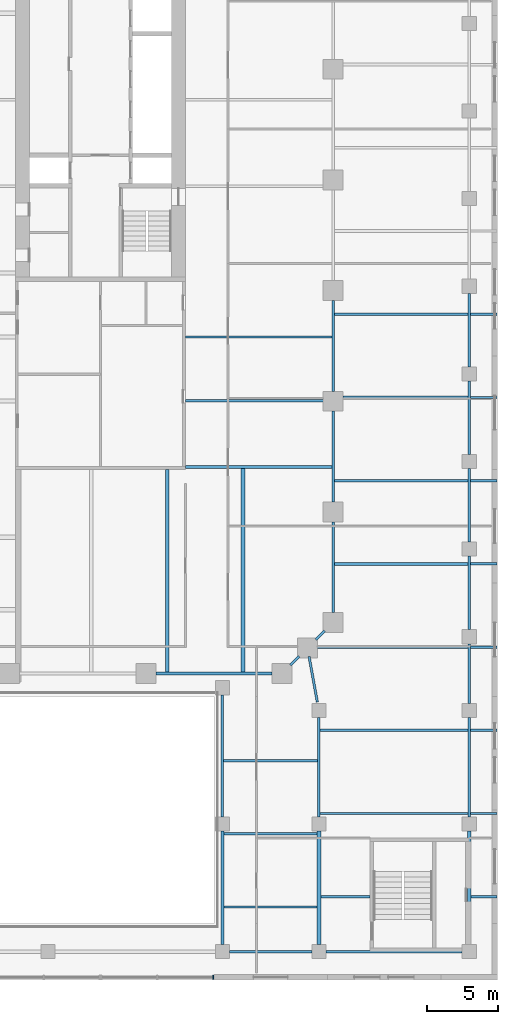
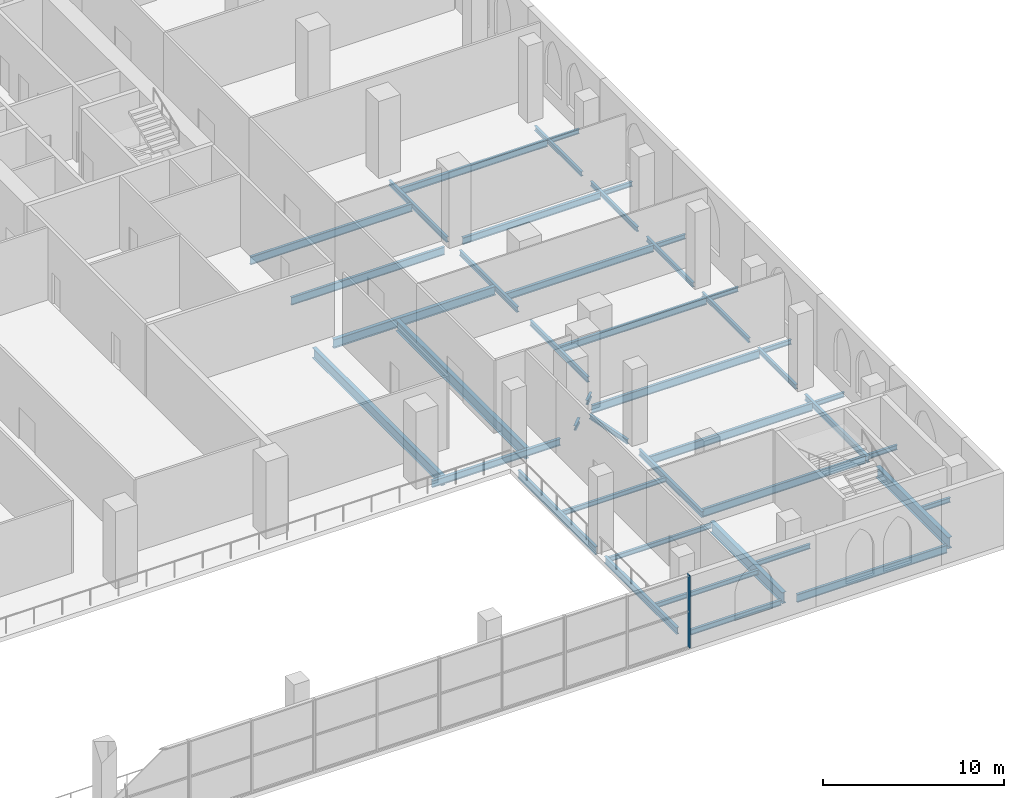
# One storey, part 5 of 22: 44 beams, 1 member, 1 element without a shape of its own.
"""IFC4 building model written with IfcOpenShell, lengths in metres."""

from ifc_helpers import new_model, si_unit, direction, frame, origin, origin_2d, place, context, subcontext, project, spatial, rectangle, i_section, extrude, material, material_profile, profile_set, type_object, element, aggregate, save


model = new_model("IFC4")

# Units and contexts
model_context = context("Model", 3, precision=1e-05, world=origin(), true_north=direction((0.0, 1.0)))
body_context = subcontext(model_context, "Body", "Model", "MODEL_VIEW")
ifc_project = project(units=[si_unit("LENGTHUNIT", "METRE"), si_unit("AREAUNIT", "SQUARE_METRE"), si_unit("VOLUMEUNIT", "CUBIC_METRE"), si_unit("PLANEANGLEUNIT", "RADIAN"), si_unit("MASSUNIT", "GRAM", prefix="KILO")], contexts=[model_context])

# Site, building, storey
site_placement = place(None, origin())
site = spatial("IfcSite", under=ifc_project, at=site_placement, CompositionType="ELEMENT")
building_placement = place(site_placement, origin())
building = spatial("IfcBuilding", under=site, at=building_placement, Name="Ogive Exchange Tower", CompositionType="ELEMENT")
storey_placement = place(building_placement, frame((0.0, 0.0, 14.0)))
storey = spatial("IfcBuildingStorey", under=building, at=storey_placement, Name="L02", CompositionType="ELEMENT", Elevation=14.0)

# Beams
ifc_material_1 = material(Name="Steel ASTM A992 Gr50", Category="steel")
ifc_material_profile_1 = material_profile(ifc_material_1, i_section(OverallWidth=0.1650390625, OverallDepth=0.31005859375, WebThickness=0.005859375, FlangeThickness=0.009765625, at=origin_2d()), Name="W310x38.7")
ifc_profile_set_1 = profile_set([ifc_material_profile_1], Name="Steel ASTM A992 Gr50")
beam_type_1 = type_object("IfcBeamType", Name="Floor beam W310x38.7", PredefinedType="JOIST", material=ifc_profile_set_1)
beam_1_placement = place(storey_placement, frame((31.533447265625, -46.13330078125, -0.455078125), z_axis=(1.0, 0.0, 0.0), x_axis=(0.0, 1.0, 0.0)))
element("IfcBeam", 1, at=beam_1_placement, inside=storey, type_object=beam_type_1, Name="Floor beam", PredefinedType="JOIST", context=body_context, shape_type="SweptSolid", body=[
    extrude(i_section(OverallWidth=0.1650390625, OverallDepth=0.31005859375, WebThickness=0.005859375, FlangeThickness=0.009765625, at=origin_2d()), origin(), (0.0, 0.0, 1.0), 3.466552734375),
])
beam_2_placement = place(storey_placement, frame((42.133544921875, -46.13330078125, -0.455078125), z_axis=(1.0, 0.0, 0.0), x_axis=(0.0, 1.0, 0.0)))
element("IfcBeam", 2, at=beam_2_placement, inside=storey, type_object=beam_type_1, Name="Floor beam", PredefinedType="JOIST", context=body_context, shape_type="SweptSolid", body=[
    extrude(i_section(OverallWidth=0.1650390625, OverallDepth=0.31005859375, WebThickness=0.005859375, FlangeThickness=0.009765625, at=origin_2d()), origin(), (0.0, 0.0, 1.0), 1.81640625),
])
for number, where, z_axis, x_axis, name in (
    (3, (42.089111328125, -40.2666015625, -0.455078125), (1.0, 0.0, 0.0), (0.0, 1.0, 0.0), "Floor beam"),
    (4, (42.089111328125, -34.39990234375, -0.455078125), (1.0, 0.0, 0.0), (0.0, 1.0, 0.0), "Floor beam"),
):
    element("IfcBeam", number, at=place(storey_placement, frame(where, z_axis=z_axis, x_axis=x_axis)), inside=storey, type_object=beam_type_1, Name=name, PredefinedType="JOIST", context=body_context, shape_type="SweptSolid", body=[
        extrude(i_section(OverallWidth=0.1650390625, OverallDepth=0.31005859375, WebThickness=0.005859375, FlangeThickness=0.009765625, at=origin_2d()), origin(), (0.0, 0.0, 1.0), 1.86083984375),
    ])
for number, where, z_axis, x_axis, name in (
    (5, (42.08251953125, -28.533203125, -0.455078125), (1.0, 0.0, 0.0), (0.0, 1.0, 0.0), "Floor beam"),
    (6, (42.08251953125, -22.666748046875, -0.455078125), (1.0, 0.0, 0.0), (0.0, 1.0, 0.0), "Floor beam"),
    (7, (42.08251953125, -16.800048828125, -0.455078125), (1.0, 0.0, 0.0), (0.0, 1.0, 0.0), "Floor beam"),
    (8, (42.08251953125, -10.933349609375, -0.455078125), (1.0, 0.0, 0.0), (0.0, 1.0, 0.0), "Floor beam"),
    (9, (42.08251953125, -5.066650390625, -0.455078125), (1.0, 0.0, 0.0), (0.0, 1.0, 0.0), "Floor beam"),
):
    element("IfcBeam", number, at=place(storey_placement, frame(where, z_axis=z_axis, x_axis=x_axis)), inside=storey, type_object=beam_type_1, Name=name, PredefinedType="JOIST", context=body_context, shape_type="SweptSolid", body=[
        extrude(i_section(OverallWidth=0.1650390625, OverallDepth=0.31005859375, WebThickness=0.005859375, FlangeThickness=0.009765625, at=origin_2d()), origin(), (0.0, 0.0, 1.0), 1.867431640625),
    ])
for number, where, z_axis, x_axis, name in (
    (10, (24.695556640625, -46.85009765625, -0.455078125), (1.0, 0.0, 0.0), (0.0, 1.0, 0.0), "Floor beam"),
    (11, (24.695556640625, -41.699951171875, -0.455078125), (1.0, 0.0, 0.0), (0.0, 1.0, 0.0), "Floor beam"),
):
    element("IfcBeam", number, at=place(storey_placement, frame(where, z_axis=z_axis, x_axis=x_axis)), inside=storey, type_object=beam_type_1, Name=name, PredefinedType="JOIST", context=body_context, shape_type="SweptSolid", body=[
        extrude(i_section(OverallWidth=0.1650390625, OverallDepth=0.31005859375, WebThickness=0.005859375, FlangeThickness=0.009765625, at=origin_2d()), origin(), (0.0, 0.0, 1.0), 6.571044921875),
    ])
beam_3_placement = place(storey_placement, frame((24.68359375, -36.550048828125, -0.455078125), z_axis=(1.0, 0.0, 0.0), x_axis=(0.0, 1.0, 0.0)))
element("IfcBeam", 12, at=beam_3_placement, inside=storey, type_object=beam_type_1, Name="Floor beam", PredefinedType="JOIST", context=body_context, shape_type="SweptSolid", body=[
    extrude(i_section(OverallWidth=0.1650390625, OverallDepth=0.31005859375, WebThickness=0.005859375, FlangeThickness=0.009765625, at=origin_2d()), origin(), (0.0, 0.0, 1.0), 6.62744140625),
])
ifc_material_profile_2 = material_profile(ifc_material_1, i_section(OverallWidth=0.19091796875, OverallDepth=0.45703125, WebThickness=0.009033203125, FlangeThickness=0.014404296875, at=origin_2d()), Name="W460x74")
ifc_profile_set_2 = profile_set([ifc_material_profile_2], Name="Steel ASTM A992 Gr50")
beam_type_2 = type_object("IfcBeamType", Name="Floor beam W460x74", PredefinedType="JOIST", material=ifc_profile_set_2)
for number, where, z_axis, x_axis, name in (
    (13, (32.485595703125, -22.666748046875, -0.528564453125), (1.0, 0.0, 0.0), (0.0, 1.0, 0.0), "Floor beam"),
    (14, (32.485595703125, -16.800048828125, -0.528564453125), (1.0, 0.0, 0.0), (0.0, 1.0, 0.0), "Floor beam"),
):
    element("IfcBeam", number, at=place(storey_placement, frame(where, z_axis=z_axis, x_axis=x_axis)), inside=storey, type_object=beam_type_2, Name=name, PredefinedType="JOIST", context=body_context, shape_type="SweptSolid", body=[
        extrude(i_section(OverallWidth=0.19091796875, OverallDepth=0.45703125, WebThickness=0.009033203125, FlangeThickness=0.014404296875, at=origin_2d()), origin(), (0.0, 0.0, 1.0), 9.431884765625),
    ])
beam_4_placement = place(storey_placement, frame((33.10009765625, -10.933349609375, -0.528564453125), z_axis=(1.0, 0.0, 0.0), x_axis=(0.0, 1.0, 0.0)))
element("IfcBeam", 15, at=beam_4_placement, inside=storey, type_object=beam_type_2, Name="Floor beam", PredefinedType="JOIST", context=body_context, shape_type="SweptSolid", body=[
    extrude(i_section(OverallWidth=0.19091796875, OverallDepth=0.45703125, WebThickness=0.009033203125, FlangeThickness=0.014404296875, at=origin_2d()), origin(), (0.0, 0.0, 1.0), 8.8173828125),
])
beam_5_placement = place(storey_placement, frame((32.485595703125, -5.066650390625, -0.528564453125), z_axis=(1.0, 0.0, 0.0), x_axis=(0.0, 1.0, 0.0)))
element("IfcBeam", 16, at=beam_5_placement, inside=storey, type_object=beam_type_2, Name="Floor beam", PredefinedType="JOIST", context=body_context, shape_type="SweptSolid", body=[
    extrude(i_section(OverallWidth=0.19091796875, OverallDepth=0.45703125, WebThickness=0.009033203125, FlangeThickness=0.014404296875, at=origin_2d()), origin(), (0.0, 0.0, 1.0), 9.431884765625),
])
ifc_material_profile_3 = material_profile(ifc_material_1, i_section(OverallWidth=0.1669921875, OverallDepth=0.535888671875, WebThickness=0.01025390625, FlangeThickness=0.0166015625, at=origin_2d()), Name="W530x85")
ifc_profile_set_3 = profile_set([ifc_material_profile_3], Name="Steel ASTM A992 Gr50")
beam_type_3 = type_object("IfcBeamType", Name="Floor beam W530x85", PredefinedType="JOIST", material=ifc_profile_set_3)
beam_6_placement = place(storey_placement, frame((22.0, -11.17822265625, -0.568115234375), z_axis=(1.0, 0.0, 0.0), x_axis=(0.0, 1.0, 0.0)))
element("IfcBeam", 17, at=beam_6_placement, inside=storey, type_object=beam_type_3, Name="Floor beam", PredefinedType="JOIST", context=body_context, shape_type="SweptSolid", body=[
    extrude(i_section(OverallWidth=0.1669921875, OverallDepth=0.535888671875, WebThickness=0.01025390625, FlangeThickness=0.0166015625, at=origin_2d()), origin(), (0.0, 0.0, 1.0), 9.800048828125),
])
beam_7_placement = place(storey_placement, frame((22.0, -6.666748046875, -0.568115234375), z_axis=(1.0, 0.0, 0.0), x_axis=(0.0, 1.0, 0.0)))
element("IfcBeam", 18, at=beam_7_placement, inside=storey, type_object=beam_type_3, Name="Floor beam", PredefinedType="JOIST", context=body_context, shape_type="SweptSolid", body=[
    extrude(i_section(OverallWidth=0.1669921875, OverallDepth=0.535888671875, WebThickness=0.01025390625, FlangeThickness=0.0166015625, at=origin_2d()), origin(), (0.0, 0.0, 1.0), 10.344970703125),
])
for number, where, z_axis, x_axis, name in (
    (19, (31.489013671875, -40.2666015625, -0.568115234375), (1.0, 0.0, 0.0), (0.0, 1.0, 0.0), "Floor beam"),
    (20, (31.489013671875, -34.39990234375, -0.568115234375), (1.0, 0.0, 0.0), (0.0, 1.0, 0.0), "Floor beam"),
):
    element("IfcBeam", number, at=place(storey_placement, frame(where, z_axis=z_axis, x_axis=x_axis)), inside=storey, type_object=beam_type_3, Name=name, PredefinedType="JOIST", context=body_context, shape_type="SweptSolid", body=[
        extrude(i_section(OverallWidth=0.1669921875, OverallDepth=0.535888671875, WebThickness=0.01025390625, FlangeThickness=0.0166015625, at=origin_2d()), origin(), (0.0, 0.0, 1.0), 10.421875),
    ])
beam_8_placement = place(storey_placement, frame((31.199951171875, -28.533203125, -0.568115234375), z_axis=(1.0, 0.0, 0.0), x_axis=(0.0, 1.0, 0.0)))
element("IfcBeam", 21, at=beam_8_placement, inside=storey, type_object=beam_type_3, Name="Floor beam", PredefinedType="JOIST", context=body_context, shape_type="SweptSolid", body=[
    extrude(i_section(OverallWidth=0.1669921875, OverallDepth=0.535888671875, WebThickness=0.01025390625, FlangeThickness=0.0166015625, at=origin_2d()), origin(), (0.0, 0.0, 1.0), 10.717529296875),
])
ifc_material_profile_4 = material_profile(ifc_material_1, i_section(OverallWidth=0.25390625, OverallDepth=0.68310546875, WebThickness=0.012451171875, FlangeThickness=0.018798828125, at=origin_2d()), Name="W690x140")
ifc_profile_set_4 = profile_set([ifc_material_profile_4], Name="Steel ASTM A992 Gr50")
beam_type_4 = type_object("IfcBeamType", Name="Floor beam W690x140", PredefinedType="JOIST", material=ifc_profile_set_4)
beam_9_placement = place(storey_placement, frame((20.699951171875, -30.304443359375, -0.6416015625), z_axis=(0.0, 1.0, 0.0), x_axis=(-1.0, 0.0, 0.0)))
element("IfcBeam", 22, at=beam_9_placement, inside=storey, type_object=beam_type_4, Name="Floor beam", PredefinedType="JOIST", context=body_context, shape_type="SweptSolid", body=[
    extrude(i_section(OverallWidth=0.25390625, OverallDepth=0.68310546875, WebThickness=0.012451171875, FlangeThickness=0.018798828125, at=origin_2d()), origin(), (0.0, 0.0, 1.0), 14.304443359375),
])
ifc_material_profile_5 = material_profile(ifc_material_1, i_section(OverallWidth=0.26708984375, OverallDepth=0.75390625, WebThickness=0.01318359375, FlangeThickness=0.01708984375, at=origin_2d()), Name="W760x147")
ifc_profile_set_5 = profile_set([ifc_material_profile_5], Name="Steel ASTM A992 Gr50")
beam_type_5 = type_object("IfcBeamType", Name="Floor beam W760x147", PredefinedType="JOIST", material=ifc_profile_set_5)
beam_10_placement = place(storey_placement, frame((26.050048828125, -30.304443359375, -0.677001953125), z_axis=(0.0, 1.0, 0.0), x_axis=(-1.0, 0.0, 0.0)))
element("IfcBeam", 23, at=beam_10_placement, inside=storey, type_object=beam_type_5, Name="Floor beam", PredefinedType="JOIST", context=body_context, shape_type="SweptSolid", body=[
    extrude(i_section(OverallWidth=0.26708984375, OverallDepth=0.75390625, WebThickness=0.01318359375, FlangeThickness=0.01708984375, at=origin_2d()), origin(), (0.0, 0.0, 1.0), 14.345458984375),
])

# Curtain wall, member
ifc_material_2 = material(Name="Anodised aluminium and clear glass", Category="aluminium")
curtain_wall_type = type_object("IfcCurtainWallType", Name="Galleria end wall glazing", PredefinedType="NOTDEFINED", material=ifc_material_2)
curtain_wall_placement = place(storey_placement, origin())
curtain_wall = element("IfcCurtainWall", 24, at=curtain_wall_placement, inside=storey, type_object=curtain_wall_type, Name="Galleria end wall glazing run GE9", PredefinedType="NOTDEFINED")
ifc_material_3 = material(Name="Anodised aluminium", Category="aluminium")
ifc_material_profile_6 = material_profile(ifc_material_3, rectangle(XDim=0.260009765625, YDim=0.080078125, at=origin_2d()), Name="AL 80x260")
ifc_profile_set_6 = profile_set([ifc_material_profile_6], Name="Anodised aluminium")
member_type = type_object("IfcMemberType", Name="Galleria end wall glazing mullion 80 x 260", PredefinedType="MULLION", material=ifc_profile_set_6)
member_placement = place(storey_placement, frame((23.9599609375, -51.800048828125, 0.0), z_axis=(0.0, 0.0, 1.0), x_axis=(0.0, 1.0, 0.0)))
member = element("IfcMember", 25, at=member_placement, type_object=member_type, Name="GE9 mullion 3", PredefinedType="MULLION", context=body_context, shape_type="SweptSolid", body=[
    extrude(rectangle(XDim=0.260009765625, YDim=0.080078125, at=origin_2d()), origin(), (0.0, 0.0, 1.0), 4.89990234375),
])
aggregate(curtain_wall, [member])

# Beams
ifc_material_profile_7 = material_profile(ifc_material_1, i_section(OverallWidth=0.1650390625, OverallDepth=0.31005859375, WebThickness=0.005859375, FlangeThickness=0.009765625, at=origin_2d()), Name="W310x38.7")
ifc_profile_set_7 = profile_set([ifc_material_profile_7], Name="Steel ASTM A992 Gr50")
beam_type_6 = type_object("IfcBeamType", Name="Girder W310x38.7", PredefinedType="BEAM", material=ifc_profile_set_7)
for number, where, z_axis, x_axis, name in (
    (26, (29.39404296875, -29.805908203125, -0.455078125), (0.707247821729, 0.706965712506, 0.0), (-0.706965712506, 0.707247821729, 0.0), "Girder"),
    (27, (31.194091796875, -28.006103515625, -0.455078125), (0.706965712506, 0.707247821729, 0.0), (-0.707247821729, 0.706965712506, 0.0), "Girder"),
):
    element("IfcBeam", number, at=place(storey_placement, frame(where, z_axis=z_axis, x_axis=x_axis)), inside=storey, type_object=beam_type_6, Name=name, PredefinedType="BEAM", context=body_context, shape_type="SweptSolid", body=[
        extrude(i_section(OverallWidth=0.1650390625, OverallDepth=0.31005859375, WebThickness=0.005859375, FlangeThickness=0.009765625, at=origin_2d()), origin(), (0.0, 0.0, 1.0), 0.865478515625),
    ])
beam_11_placement = place(storey_placement, frame((31.292724609375, -32.40966796875, -0.455078125), z_axis=(-0.178911700404, 0.983865134792, 0.0), x_axis=(-0.983865134792, -0.178911700404, 0.0)))
element("IfcBeam", 28, at=beam_11_placement, inside=storey, type_object=beam_type_6, Name="Girder", PredefinedType="BEAM", context=body_context, shape_type="SweptSolid", body=[
    extrude(i_section(OverallWidth=0.1650390625, OverallDepth=0.31005859375, WebThickness=0.005859375, FlangeThickness=0.009765625, at=origin_2d()), origin(), (0.0, 0.0, 1.0), 3.272216796875),
])
beam_12_placement = place(storey_placement, frame((42.0, -32.5, -0.455078125), z_axis=(0.0, 1.0, 0.0), x_axis=(-1.0, 0.0, 0.0)))
element("IfcBeam", 29, at=beam_12_placement, inside=storey, type_object=beam_type_6, Name="Girder", PredefinedType="BEAM", context=body_context, shape_type="SweptSolid", body=[
    extrude(i_section(OverallWidth=0.1650390625, OverallDepth=0.31005859375, WebThickness=0.005859375, FlangeThickness=0.009765625, at=origin_2d()), origin(), (0.0, 0.0, 1.0), 4.199951171875),
])
beam_13_placement = place(storey_placement, frame((42.0, -27.300048828125, -0.455078125), z_axis=(0.0, 1.0, 0.0), x_axis=(-1.0, 0.0, 0.0)))
element("IfcBeam", 30, at=beam_13_placement, inside=storey, type_object=beam_type_6, Name="Girder", PredefinedType="BEAM", context=body_context, shape_type="SweptSolid", body=[
    extrude(i_section(OverallWidth=0.1650390625, OverallDepth=0.31005859375, WebThickness=0.005859375, FlangeThickness=0.009765625, at=origin_2d()), origin(), (0.0, 0.0, 1.0), 5.179931640625),
])
beam_14_placement = place(storey_placement, frame((42.0, -21.1201171875, -0.455078125), z_axis=(0.0, 1.0, 0.0), x_axis=(-1.0, 0.0, 0.0)))
element("IfcBeam", 31, at=beam_14_placement, inside=storey, type_object=beam_type_6, Name="Girder", PredefinedType="BEAM", context=body_context, shape_type="SweptSolid", body=[
    extrude(i_section(OverallWidth=0.1650390625, OverallDepth=0.31005859375, WebThickness=0.005859375, FlangeThickness=0.009765625, at=origin_2d()), origin(), (0.0, 0.0, 1.0), 5.18017578125),
])
beam_15_placement = place(storey_placement, frame((42.0, -14.93994140625, -0.455078125), z_axis=(0.0, 1.0, 0.0), x_axis=(-1.0, 0.0, 0.0)))
element("IfcBeam", 32, at=beam_15_placement, inside=storey, type_object=beam_type_6, Name="Girder", PredefinedType="BEAM", context=body_context, shape_type="SweptSolid", body=[
    extrude(i_section(OverallWidth=0.1650390625, OverallDepth=0.31005859375, WebThickness=0.005859375, FlangeThickness=0.009765625, at=origin_2d()), origin(), (0.0, 0.0, 1.0), 5.169921875),
])
beam_16_placement = place(storey_placement, frame((42.0, -8.77001953125, -0.455078125), z_axis=(0.0, 1.0, 0.0), x_axis=(-1.0, 0.0, 0.0)))
element("IfcBeam", 33, at=beam_16_placement, inside=storey, type_object=beam_type_6, Name="Girder", PredefinedType="BEAM", context=body_context, shape_type="SweptSolid", body=[
    extrude(i_section(OverallWidth=0.1650390625, OverallDepth=0.31005859375, WebThickness=0.005859375, FlangeThickness=0.009765625, at=origin_2d()), origin(), (0.0, 0.0, 1.0), 5.179931640625),
])
ifc_material_profile_8 = material_profile(ifc_material_1, i_section(OverallWidth=0.1708984375, OverallDepth=0.35595703125, WebThickness=0.00732421875, FlangeThickness=0.01171875, at=origin_2d()), Name="W360x51")
ifc_profile_set_8 = profile_set([ifc_material_profile_8], Name="Steel ASTM A992 Gr50")
beam_type_7 = type_object("IfcBeamType", Name="Girder W360x51", PredefinedType="BEAM", material=ifc_profile_set_8)
for number, where, z_axis, x_axis, name in (
    (34, (32.39990234375, -26.10009765625, -0.47802734375), (0.0, 1.0, 0.0), (-1.0, 0.0, 0.0), "Girder"),
    (35, (32.39990234375, -18.300048828125, -0.47802734375), (0.0, 1.0, 0.0), (-1.0, 0.0, 0.0), "Girder"),
):
    element("IfcBeam", number, at=place(storey_placement, frame(where, z_axis=z_axis, x_axis=x_axis)), inside=storey, type_object=beam_type_7, Name=name, PredefinedType="BEAM", context=body_context, shape_type="SweptSolid", body=[
        extrude(i_section(OverallWidth=0.1708984375, OverallDepth=0.35595703125, WebThickness=0.00732421875, FlangeThickness=0.01171875, at=origin_2d()), origin(), (0.0, 0.0, 1.0), 6.400146484375),
    ])
beam_17_placement = place(storey_placement, frame((32.39990234375, -10.5, -0.47802734375), z_axis=(0.0, 1.0, 0.0), x_axis=(-1.0, 0.0, 0.0)))
element("IfcBeam", 36, at=beam_17_placement, inside=storey, type_object=beam_type_7, Name="Girder", PredefinedType="BEAM", context=body_context, shape_type="SweptSolid", body=[
    extrude(i_section(OverallWidth=0.1708984375, OverallDepth=0.35595703125, WebThickness=0.00732421875, FlangeThickness=0.01171875, at=origin_2d()), origin(), (0.0, 0.0, 1.0), 6.39990234375),
])
beam_18_placement = place(storey_placement, frame((25.10009765625, -50.0, -0.47802734375), z_axis=(1.0, 0.0, 0.0), x_axis=(0.0, 1.0, 0.0)))
element("IfcBeam", 37, at=beam_18_placement, inside=storey, type_object=beam_type_7, Name="Girder", PredefinedType="BEAM", context=body_context, shape_type="SweptSolid", body=[
    extrude(i_section(OverallWidth=0.1708984375, OverallDepth=0.35595703125, WebThickness=0.00732421875, FlangeThickness=0.01171875, at=origin_2d()), origin(), (0.0, 0.0, 1.0), 5.7998046875),
])
ifc_material_profile_9 = material_profile(ifc_material_1, i_section(OverallWidth=0.177978515625, OverallDepth=0.406005859375, WebThickness=0.0078125, FlangeThickness=0.0126953125, at=origin_2d()), Name="W410x60")
ifc_profile_set_9 = profile_set([ifc_material_profile_9], Name="Steel ASTM A992 Gr50")
beam_type_8 = type_object("IfcBeamType", Name="Girder W410x60", PredefinedType="BEAM", material=ifc_profile_set_9)
for number, where, z_axis, x_axis, name in (
    (38, (31.39990234375, -40.5, -0.5029296875), (0.0, 1.0, 0.0), (-1.0, 0.0, 0.0), "Girder"),
    (39, (42.0, -40.5, -0.5029296875), (0.0, 1.0, 0.0), (-1.0, 0.0, 0.0), "Girder"),
):
    element("IfcBeam", number, at=place(storey_placement, frame(where, z_axis=z_axis, x_axis=x_axis)), inside=storey, type_object=beam_type_8, Name=name, PredefinedType="BEAM", context=body_context, shape_type="SweptSolid", body=[
        extrude(i_section(OverallWidth=0.177978515625, OverallDepth=0.406005859375, WebThickness=0.0078125, FlangeThickness=0.0126953125, at=origin_2d()), origin(), (0.0, 0.0, 1.0), 7.0),
    ])
ifc_material_profile_10 = material_profile(ifc_material_1, i_section(OverallWidth=0.19091796875, OverallDepth=0.45703125, WebThickness=0.009033203125, FlangeThickness=0.014404296875, at=origin_2d()), Name="W460x74")
ifc_profile_set_10 = profile_set([ifc_material_profile_10], Name="Steel ASTM A992 Gr50")
beam_type_9 = type_object("IfcBeamType", Name="Girder W460x74", PredefinedType="BEAM", material=ifc_profile_set_10)
beam_19_placement = place(storey_placement, frame((19.89990234375, -30.39990234375, -0.528564453125), z_axis=(1.0, 0.0, 0.0), x_axis=(0.0, 1.0, 0.0)))
element("IfcBeam", 40, at=beam_19_placement, inside=storey, type_object=beam_type_9, Name="Girder", PredefinedType="BEAM", context=body_context, shape_type="SweptSolid", body=[
    extrude(i_section(OverallWidth=0.19091796875, OverallDepth=0.45703125, WebThickness=0.009033203125, FlangeThickness=0.014404296875, at=origin_2d()), origin(), (0.0, 0.0, 1.0), 8.2001953125),
])
beam_20_placement = place(storey_placement, frame((24.60009765625, -49.5, -0.528564453125), z_axis=(0.0, 1.0, 0.0), x_axis=(-1.0, 0.0, 0.0)))
element("IfcBeam", 41, at=beam_20_placement, inside=storey, type_object=beam_type_9, Name="Girder", PredefinedType="BEAM", context=body_context, shape_type="SweptSolid", body=[
    extrude(i_section(OverallWidth=0.19091796875, OverallDepth=0.45703125, WebThickness=0.009033203125, FlangeThickness=0.014404296875, at=origin_2d()), origin(), (0.0, 0.0, 1.0), 8.0),
])
ifc_material_profile_11 = material_profile(ifc_material_1, i_section(OverallWidth=0.1669921875, OverallDepth=0.535888671875, WebThickness=0.01025390625, FlangeThickness=0.0166015625, at=origin_2d()), Name="W530x85")
ifc_profile_set_11 = profile_set([ifc_material_profile_11], Name="Steel ASTM A992 Gr50")
beam_type_10 = type_object("IfcBeamType", Name="Girder W530x85", PredefinedType="BEAM", material=ifc_profile_set_11)
beam_21_placement = place(storey_placement, frame((24.60009765625, -40.5, -0.568115234375), z_axis=(0.0, 1.0, 0.0), x_axis=(-1.0, 0.0, 0.0)))
element("IfcBeam", 42, at=beam_21_placement, inside=storey, type_object=beam_type_10, Name="Girder", PredefinedType="BEAM", context=body_context, shape_type="SweptSolid", body=[
    extrude(i_section(OverallWidth=0.1669921875, OverallDepth=0.535888671875, WebThickness=0.01025390625, FlangeThickness=0.0166015625, at=origin_2d()), origin(), (0.0, 0.0, 1.0), 8.60009765625),
])
beam_22_placement = place(storey_placement, frame((31.89990234375, -50.0, -0.568115234375), z_axis=(1.0, 0.0, 0.0), x_axis=(0.0, 1.0, 0.0)))
element("IfcBeam", 43, at=beam_22_placement, inside=storey, type_object=beam_type_10, Name="Girder", PredefinedType="BEAM", context=body_context, shape_type="SweptSolid", body=[
    extrude(i_section(OverallWidth=0.1669921875, OverallDepth=0.535888671875, WebThickness=0.01025390625, FlangeThickness=0.0166015625, at=origin_2d()), origin(), (0.0, 0.0, 1.0), 9.60009765625),
])
ifc_material_profile_12 = material_profile(ifc_material_1, i_section(OverallWidth=0.22802734375, OverallDepth=0.60205078125, WebThickness=0.010498046875, FlangeThickness=0.014892578125, at=origin_2d()), Name="W610x101")
ifc_profile_set_12 = profile_set([ifc_material_profile_12], Name="Steel ASTM A992 Gr50")
beam_type_11 = type_object("IfcBeamType", Name="Girder W610x101", PredefinedType="BEAM", material=ifc_profile_set_12)
beam_23_placement = place(storey_placement, frame((22.0, -15.844970703125, -0.60107421875), z_axis=(1.0, 0.0, 0.0), x_axis=(0.0, 1.0, 0.0)))
element("IfcBeam", 44, at=beam_23_placement, inside=storey, type_object=beam_type_11, Name="Header girder", PredefinedType="BEAM", context=body_context, shape_type="SweptSolid", body=[
    extrude(i_section(OverallWidth=0.22802734375, OverallDepth=0.60205078125, WebThickness=0.010498046875, FlangeThickness=0.014892578125, at=origin_2d()), origin(), (0.0, 0.0, 1.0), 10.344970703125),
])
ifc_material_profile_13 = material_profile(ifc_material_1, i_section(OverallWidth=0.26708984375, OverallDepth=0.75390625, WebThickness=0.01318359375, FlangeThickness=0.01708984375, at=origin_2d()), Name="W760x147")
ifc_profile_set_13 = profile_set([ifc_material_profile_13], Name="Steel ASTM A992 Gr50")
beam_type_12 = type_object("IfcBeamType", Name="Girder W760x147", PredefinedType="BEAM", material=ifc_profile_set_13)
for number, where, z_axis, x_axis, name in (
    (45, (31.39990234375, -49.5, -0.677001953125), (0.0, 1.0, 0.0), (-1.0, 0.0, 0.0), "Girder"),
    (46, (42.0, -49.5, -0.677001953125), (0.0, 1.0, 0.0), (-1.0, 0.0, 0.0), "Girder"),
):
    element("IfcBeam", number, at=place(storey_placement, frame(where, z_axis=z_axis, x_axis=x_axis)), inside=storey, type_object=beam_type_12, Name=name, PredefinedType="BEAM", context=body_context, shape_type="SweptSolid", body=[
        extrude(i_section(OverallWidth=0.26708984375, OverallDepth=0.75390625, WebThickness=0.01318359375, FlangeThickness=0.01708984375, at=origin_2d()), origin(), (0.0, 0.0, 1.0), 8.0),
    ])

save(model, "model.ifc")
